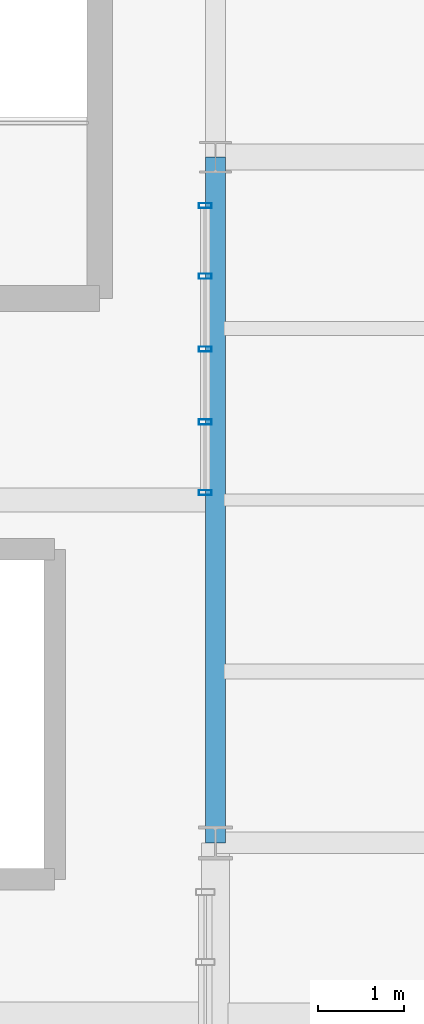
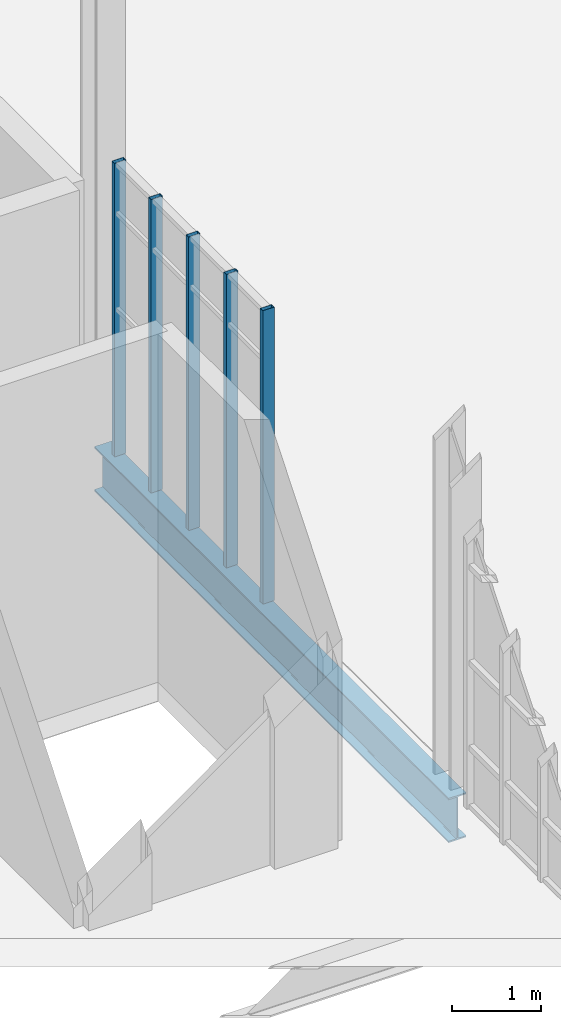
# One storey, part 39 of 118: 5 members, 1 beam, 1 element without a shape of its own.
"""IFC4 building model written with IfcOpenShell, lengths in metres."""

import ifcopenshell
import ifcopenshell.guid

model = None  # the IFC model being written
_history = None  # IfcOwnerHistory: only IFC2X3 demands one
_inside = {}  # id of a spatial element -> (the spatial element, [elements in it])
_under = {}  # id of a project, library or spatial element -> (it, [spatial elements below it])
_declared = {}  # id of a project -> (the project, [libraries it declares])
_typed = {}  # id of a type object -> (the type object, [elements of that type])
_made_of = {}  # id of a material, layer set ... -> (it, [elements and type objects made of it])


def new_model(schema):
    """Start an empty IFC model of exactly this schema.

    Asked for "IFC4X3", IfcOpenShell would pick the latest addendum, in which some entities
    have other attributes; the version numbers below select the first issue.
    IFC2X3 requires an IfcOwnerHistory on every rooted entity: one is made here for all.
    """
    global model, _history
    if schema == "IFC4X3":
        model = ifcopenshell.file(schema_version=(4, 3, 0, 0))
    else:
        model = ifcopenshell.file(schema=schema)
    _inside.clear()
    _under.clear()
    _declared.clear()
    _typed.clear()
    _made_of.clear()
    _history = None
    if model.schema == "IFC2X3":
        org = make("IfcOrganization", Name="unknown")
        user = make(
            "IfcPersonAndOrganization",
            ThePerson=make("IfcPerson", FamilyName="unknown"),
            TheOrganization=org,
        )
        app = make(
            "IfcApplication",
            ApplicationDeveloper=org,
            Version="unknown",
            ApplicationFullName="unknown",
            ApplicationIdentifier="unknown",
        )
        _history = make(
            "IfcOwnerHistory",
            OwningUser=user,
            OwningApplication=app,
            ChangeAction="ADDED",
            CreationDate=0,
        )
    return model


def make(cls, **values):
    """One entity of the class cls with the attributes given. An attribute that is None is left unset."""
    return model.create_entity(
        cls, **{name: value for name, value in values.items() if value is not None}
    )


def rooted(cls, **values):
    """An entity with a GlobalId (a new one), such as an element, a storey or a relation."""
    return make(cls, GlobalId=ifcopenshell.guid.new(), OwnerHistory=_history, **values)


def si_unit(unit_type, name, prefix=None):
    """IfcSIUnit, for example si_unit("LENGTHUNIT", "METRE", prefix="MILLI")."""
    return make("IfcSIUnit", UnitType=unit_type, Prefix=prefix, Name=name)


def assignment(units):
    """IfcUnitAssignment: the units of a project."""
    return None if units is None else make("IfcUnitAssignment", Units=units)


def point(xyz):
    """IfcCartesianPoint."""
    return None if xyz is None else make("IfcCartesianPoint", Coordinates=xyz)


def direction(xyz):
    """IfcDirection."""
    return None if xyz is None else make("IfcDirection", DirectionRatios=xyz)


def frame(location, z_axis=None, x_axis=None):
    """IfcAxis2Placement3D, a coordinate frame: its origin and axes. An axis left out is left unset."""
    return make(
        "IfcAxis2Placement3D",
        Location=point(location),
        Axis=direction(z_axis),
        RefDirection=direction(x_axis),
    )


def frame_2d(location, x_axis=None):
    """IfcAxis2Placement2D, a coordinate frame in the plane: its origin and x axis."""
    return make(
        "IfcAxis2Placement2D", Location=point(location), RefDirection=direction(x_axis)
    )


def origin():
    """The frame at (0, 0, 0) with its axes left unset."""
    return frame((0.0, 0.0, 0.0))


def origin_2d():
    """The frame at (0, 0) in the plane with its x axis left unset."""
    return frame_2d((0.0, 0.0))


def place(relative_to, where):
    """IfcLocalPlacement: puts the frame where relative to a parent placement (None: the world)."""
    return make(
        "IfcLocalPlacement", PlacementRelTo=relative_to, RelativePlacement=where
    )


def context(
    kind, dimensions, precision=None, world=None, true_north=None, identifier=None
):
    """IfcGeometricRepresentationContext, for example the 3D "Model" context."""
    return make(
        "IfcGeometricRepresentationContext",
        ContextIdentifier=identifier,
        ContextType=kind,
        CoordinateSpaceDimension=dimensions,
        Precision=precision,
        WorldCoordinateSystem=world,
        TrueNorth=true_north,
    )


def subcontext(parent, identifier, kind, view, scale=None):
    """IfcGeometricRepresentationSubContext, for example "Body" below "Model"."""
    return make(
        "IfcGeometricRepresentationSubContext",
        ContextIdentifier=identifier,
        ContextType=kind,
        ParentContext=parent,
        TargetScale=scale,
        TargetView=view,
    )


def project(units=None, contexts=None):
    """IfcProject with its units and contexts."""
    return rooted(
        "IfcProject",
        Name="project",
        RepresentationContexts=contexts,
        UnitsInContext=assignment(units),
    )


def spatial(cls, under=None, at=None, **own):
    """A site, building, storey or space (cls), placed at a placement, below another one or the project."""
    s = rooted(cls, ObjectPlacement=at, **own)
    if under is not None:
        _under.setdefault(under.id(), (under, []))[1].append(s)
    return s


def profile(cls, at=None, kind="AREA", **sizes):
    """A parametric profile (cls). Its sizes go by their IFC names, for example OverallWidth=200.0."""
    return make(cls, ProfileType=kind, Position=at, **sizes)


def hollow_rectangle(**sizes):
    """IfcRectangleHollowProfileDef."""
    return profile("IfcRectangleHollowProfileDef", **sizes)


def i_section(**sizes):
    """IfcIShapeProfileDef."""
    return profile("IfcIShapeProfileDef", **sizes)


def extrude(swept, where, along, depth):
    """IfcExtrudedAreaSolid: the profile swept, set in the frame where, extruded along a direction by depth."""
    return make(
        "IfcExtrudedAreaSolid",
        SweptArea=swept,
        Position=where,
        ExtrudedDirection=direction(along),
        Depth=depth,
    )


def shape(context_of_items, identifier, shape_type, items):
    """IfcShapeRepresentation: the items that make up one representation, for example the "Body"."""
    return make(
        "IfcShapeRepresentation",
        ContextOfItems=context_of_items,
        RepresentationIdentifier=identifier,
        RepresentationType=shape_type,
        Items=items,
    )


def material(Name=None, Category=None):
    """IfcMaterial."""
    return make("IfcMaterial", Name=Name, Category=Category)


def layer(
    of_material, thickness, ventilated=None, Name=None, Category=None, Priority=None
):
    """IfcMaterialLayer: one layer of a wall or slab, of a material (None: an air gap)."""
    return make(
        "IfcMaterialLayer",
        Material=of_material,
        LayerThickness=thickness,
        IsVentilated=ventilated,
        Name=Name,
        Category=Category,
        Priority=Priority,
    )


def layer_set(layers, Name=None):
    """IfcMaterialLayerSet."""
    return make("IfcMaterialLayerSet", MaterialLayers=layers, LayerSetName=Name)


def material_profile(
    of_material, cross_section, Name=None, Category=None, Priority=None
):
    """IfcMaterialProfile: a cross section and its material."""
    return make(
        "IfcMaterialProfile",
        Name=Name,
        Material=of_material,
        Profile=cross_section,
        Priority=Priority,
        Category=Category,
    )


def profile_set(profiles, Name=None, composite=None):
    """IfcMaterialProfileSet."""
    return make(
        "IfcMaterialProfileSet",
        Name=Name,
        MaterialProfiles=profiles,
        CompositeProfile=composite,
    )


def made_of(thing, what):
    """Note that an element or type object is made of a material, layer set ...; save() writes the relation."""
    if what is not None:
        _made_of.setdefault(what.id(), (what, []))[1].append(thing)
    return thing


def type_object(cls, material=None, **own):
    """A type object (cls), such as IfcWallType, which elements share."""
    return made_of(rooted(cls, **own), material)


def element(
    cls,
    number,
    at=None,
    inside=None,
    cuts=None,
    type_object=None,
    material=None,
    context=None,
    identifier="Body",
    shape_type=None,
    held_by="IfcProductDefinitionShape",
    body=None,
    shapes=None,
    **own,
):
    """One element of the class cls, such as IfcWall. Its Tag is "e" and its number.

    at: its placement. inside: the storey or other place that contains it. cuts: it is an
    opening in that element (IfcRelVoidsElement). A single representation is given by context,
    identifier, shape_type and body (its items); several are given by shapes. held_by: the class
    of the entity that holds the representations. save() writes the other relations.
    """
    e = rooted(cls, Tag="e%d" % number, ObjectPlacement=at, **own)
    if body is not None:
        shapes = [shape(context, identifier, shape_type, body)]
    if shapes is not None:
        e.Representation = make(held_by, Representations=shapes)
    if inside is not None:
        _inside.setdefault(inside.id(), (inside, []))[1].append(e)
    if cuts is not None:
        rooted(
            "IfcRelVoidsElement", RelatingBuildingElement=cuts, RelatedOpeningElement=e
        )
    if type_object is not None:
        _typed.setdefault(type_object.id(), (type_object, []))[1].append(e)
    return made_of(e, material)


def aggregate(whole, parts):
    """IfcRelAggregates: a whole, such as a stair, and the parts it consists of."""
    return rooted("IfcRelAggregates", RelatingObject=whole, RelatedObjects=parts)


def save(model, path):
    """Write the relations noted so far, then the file.

    IfcRelAggregates (storeys below a building ...), IfcRelContainedInSpatialStructure (elements
    in a storey), IfcRelDefinesByType, IfcRelAssociatesMaterial and IfcRelDeclares: one each for
    every whole, place, type object, material and project.
    """
    for whole, parts in _under.values():
        aggregate(whole, parts)
    for where, things in _inside.values():
        rooted(
            "IfcRelContainedInSpatialStructure",
            RelatedElements=things,
            RelatingStructure=where,
        )
    for kind, things in _typed.values():
        rooted("IfcRelDefinesByType", RelatedObjects=things, RelatingType=kind)
    for what, things in _made_of.values():
        rooted("IfcRelAssociatesMaterial", RelatedObjects=things, RelatingMaterial=what)
    for by, libraries in _declared.values():
        rooted("IfcRelDeclares", RelatingContext=by, RelatedDefinitions=libraries)
    model.write(path)


model = new_model("IFC4")

# Units and contexts
model_context = context("Model", 3, precision=1e-05, world=origin(), true_north=direction((0.0, 1.0)))
body_context = subcontext(model_context, "Body", "Model", "MODEL_VIEW")
ifc_project = project(units=[si_unit("LENGTHUNIT", "METRE"), si_unit("AREAUNIT", "SQUARE_METRE"), si_unit("VOLUMEUNIT", "CUBIC_METRE"), si_unit("PLANEANGLEUNIT", "RADIAN"), si_unit("MASSUNIT", "GRAM", prefix="KILO"), si_unit("THERMODYNAMICTEMPERATUREUNIT", "KELVIN"), si_unit("POWERUNIT", "WATT")], contexts=[model_context])

# Site, building, storey
site_placement = place(None, origin())
site = spatial("IfcSite", under=ifc_project, at=site_placement, CompositionType="ELEMENT")
building_placement = place(site_placement, origin())
building = spatial("IfcBuilding", under=site, at=building_placement, Name="Zelmaris Science Centre", CompositionType="ELEMENT")
storey_placement = place(building_placement, frame((0.0, 0.0, 15.60009765625)))
storey = spatial("IfcBuildingStorey", under=building, at=storey_placement, Name="L03", CompositionType="ELEMENT", Elevation=15.60009765625)

# Curtain wall, members
ifc_material_1 = material(Name="Anodised architectural aluminium 6063-T6", Category="aluminium")
ifc_layer = layer(ifc_material_1, 0.219970703125, Name="Anodised architectural aluminium 6063-T6")
ifc_layer_set = layer_set([ifc_layer], Name="Anodised architectural aluminium 6063-T6")
curtain_wall_type = type_object("IfcCurtainWallType", Name="Curtain Wall CW-04", PredefinedType="USERDEFINED", material=ifc_layer_set)
curtain_wall_placement = place(storey_placement, origin())
curtain_wall = element("IfcCurtainWall", 1, at=curtain_wall_placement, inside=storey, type_object=curtain_wall_type, Name="L03 Unitised curtain wall 300", ObjectType="GLAZED CURTAIN WALL", PredefinedType="USERDEFINED")
ifc_material_profile_1 = material_profile(ifc_material_1, hollow_rectangle(XDim=0.06005859375, YDim=0.14990234375, WallThickness=0.00341796875, at=origin_2d()), Name="ALU-MUL-60X150")
ifc_profile_set_1 = profile_set([ifc_material_profile_1], Name="Anodised architectural aluminium 6063-T6")
member_type = type_object("IfcMemberType", Name="ALU-MUL-60X150", PredefinedType="MULLION", material=ifc_profile_set_1)
member_1_placement = place(storey_placement, frame((134.8798828125, 39.43408203125, -0.01513671875), z_axis=(0.0, 0.0, 1.0), x_axis=(0.0, -1.0, 0.0)))
member_1 = element("IfcMember", 2, at=member_1_placement, type_object=member_type, Name="CW-04 mullion 1", PredefinedType="MULLION", context=body_context, shape_type="SweptSolid", body=[
    extrude(hollow_rectangle(XDim=0.06005859375, YDim=0.14990234375, WallThickness=0.00341796875, at=origin_2d()), origin(), (0.0, 0.0, 1.0), 4.044921875),
])
member_2_placement = place(storey_placement, frame((134.8798828125, 38.610107421875, -0.01513671875), z_axis=(0.0, 0.0, 1.0), x_axis=(0.0, -1.0, 0.0)))
member_2 = element("IfcMember", 3, at=member_2_placement, type_object=member_type, Name="CW-04 mullion 2", PredefinedType="MULLION", context=body_context, shape_type="SweptSolid", body=[
    extrude(hollow_rectangle(XDim=0.06005859375, YDim=0.14990234375, WallThickness=0.00341796875, at=origin_2d()), origin(), (0.0, 0.0, 1.0), 4.044921875),
])
member_3_placement = place(storey_placement, frame((134.8798828125, 37.760009765625, -0.01513671875), z_axis=(0.0, 0.0, 1.0), x_axis=(0.0, -1.0, 0.0)))
member_3 = element("IfcMember", 4, at=member_3_placement, type_object=member_type, Name="CW-04 mullion 3", PredefinedType="MULLION", context=body_context, shape_type="SweptSolid", body=[
    extrude(hollow_rectangle(XDim=0.06005859375, YDim=0.14990234375, WallThickness=0.00341796875, at=origin_2d()), origin(), (0.0, 0.0, 1.0), 4.044921875),
])
member_4_placement = place(storey_placement, frame((134.8798828125, 36.909912109375, -0.01513671875), z_axis=(0.0, 0.0, 1.0), x_axis=(0.0, -1.0, 0.0)))
member_4 = element("IfcMember", 5, at=member_4_placement, type_object=member_type, Name="CW-04 mullion 4", PredefinedType="MULLION", context=body_context, shape_type="SweptSolid", body=[
    extrude(hollow_rectangle(XDim=0.06005859375, YDim=0.14990234375, WallThickness=0.00341796875, at=origin_2d()), origin(), (0.0, 0.0, 1.0), 4.044921875),
])
member_5_placement = place(storey_placement, frame((134.8798828125, 36.0859375, -0.01513671875), z_axis=(0.0, 0.0, 1.0), x_axis=(0.0, -1.0, 0.0)))
member_5 = element("IfcMember", 6, at=member_5_placement, type_object=member_type, Name="CW-04 mullion 5", PredefinedType="MULLION", context=body_context, shape_type="SweptSolid", body=[
    extrude(hollow_rectangle(XDim=0.06005859375, YDim=0.14990234375, WallThickness=0.00341796875, at=origin_2d()), origin(), (0.0, 0.0, 1.0), 4.044921875),
])
aggregate(curtain_wall, [member_1, member_2, member_3, member_4, member_5])

# Beam
ifc_material_2 = material(Name="Steel ASTM A992 Grade 50", Category="steel")
ifc_material_profile_2 = material_profile(ifc_material_2, i_section(OverallWidth=0.22900390625, OverallDepth=0.612060546875, WebThickness=0.011962890625, FlangeThickness=0.01953125, FilletRadius=0.014892578125, at=origin_2d()), Name="W24X84")
ifc_profile_set_2 = profile_set([ifc_material_profile_2], Name="Steel ASTM A992 Grade 50")
beam_type = type_object("IfcBeamType", Name="Beam G-16 W24X84", PredefinedType="BEAM", material=ifc_profile_set_2)
beam_placement = place(storey_placement, frame((135.0, 32.0, -0.566162109375), z_axis=(0.0, 1.0, 0.0), x_axis=(-1.0, 0.0, 0.0)))
element("IfcBeam", 7, at=beam_placement, inside=storey, type_object=beam_type, Name="L03 North-south girder 722", PredefinedType="BEAM", context=body_context, shape_type="SweptSolid", body=[
    extrude(i_section(OverallWidth=0.22900390625, OverallDepth=0.612060546875, WebThickness=0.011962890625, FlangeThickness=0.01953125, FilletRadius=0.014892578125, at=origin_2d()), origin(), (0.0, 0.0, 1.0), 8.0),
])

save(model, "model.ifc")
